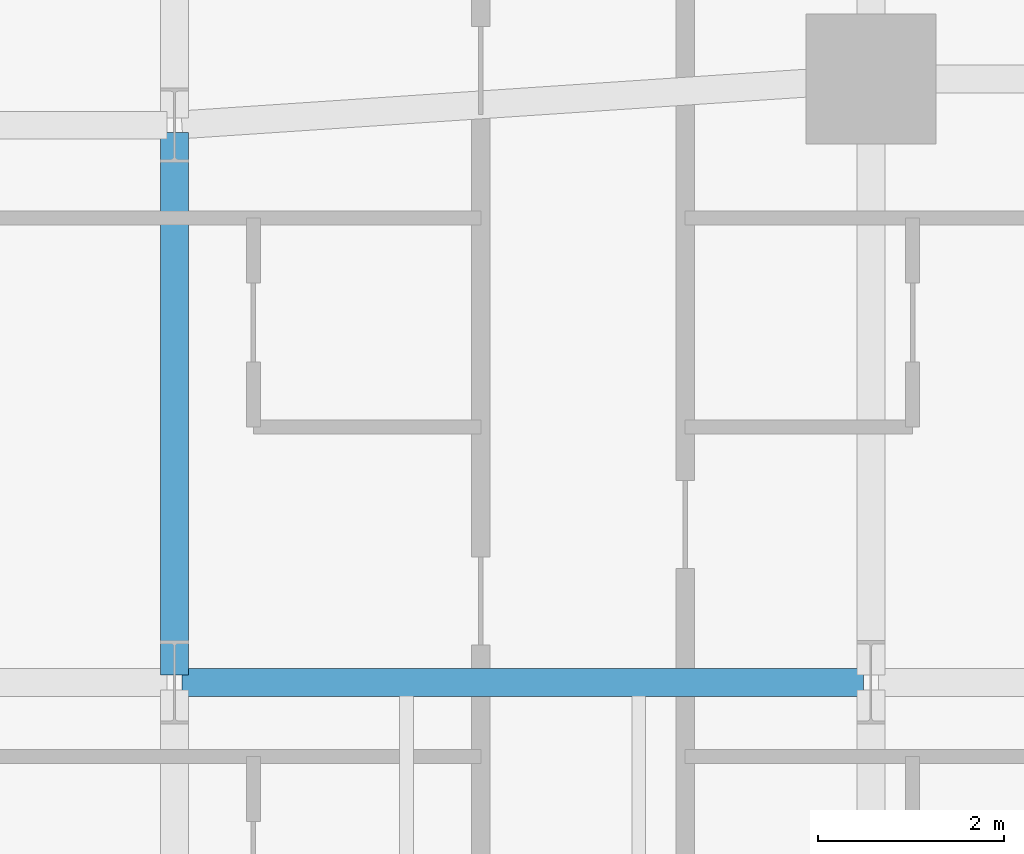
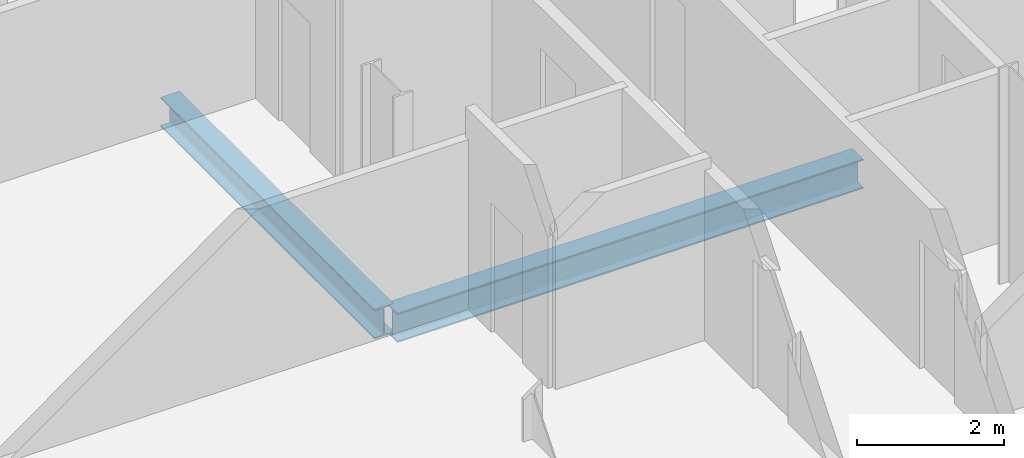
# One storey, part 10 of 32: 2 beams.
"""IFC4 building model written with IfcOpenShell, lengths in metres."""

from ifc_helpers import new_model, si_unit, direction, frame, origin, origin_2d, place, context, subcontext, project, spatial, i_section, extrude, material, material_profile, profile_set, type_object, element, save


model = new_model("IFC4")

# Units and contexts
model_context = context("Model", 3, precision=1e-05, world=origin(), true_north=direction((0.0, 1.0)))
body_context = subcontext(model_context, "Body", "Model", "MODEL_VIEW")
ifc_project = project(units=[si_unit("LENGTHUNIT", "METRE"), si_unit("AREAUNIT", "SQUARE_METRE"), si_unit("VOLUMEUNIT", "CUBIC_METRE"), si_unit("PLANEANGLEUNIT", "RADIAN"), si_unit("MASSUNIT", "GRAM", prefix="KILO")], contexts=[model_context])

# Site, building, storey
site_placement = place(None, origin())
site = spatial("IfcSite", under=ifc_project, at=site_placement, CompositionType="ELEMENT")
building_placement = place(site_placement, origin())
building = spatial("IfcBuilding", under=site, at=building_placement, Name="Catumbela Crestline Tower", CompositionType="ELEMENT")
storey_placement = place(building_placement, frame((0.0, 0.0, 69.0)))
storey = spatial("IfcBuildingStorey", under=building, at=storey_placement, Name="L17", CompositionType="ELEMENT", Elevation=69.0)

# Beams
ifc_material = material(Name="Structural steel S355J2", Category="steel")
ifc_material_profile = material_profile(ifc_material, i_section(OverallWidth=0.3, OverallDepth=0.49, WebThickness=0.012, FlangeThickness=0.023, FilletRadius=0.027, at=origin_2d()), Name="HEA 500")
ifc_profile_set = profile_set([ifc_material_profile], Name="Structural steel S355J2")
beam_type = type_object("IfcBeamType", Name="BG-HEA500", PredefinedType="BEAM", material=ifc_profile_set)
beam_1_placement = place(storey_placement, frame((8.58, 18.0, -0.505), z_axis=(1.0, 0.0, 0.0), x_axis=(0.0, 1.0, 0.0)))
element("IfcBeam", 1, at=beam_1_placement, inside=storey, type_object=beam_type, Name="L17 Beam BM-L17-WEW55", PredefinedType="BEAM", context=body_context, shape_type="SweptSolid", body=[
    extrude(i_section(OverallWidth=0.3, OverallDepth=0.49, WebThickness=0.012, FlangeThickness=0.023, FilletRadius=0.027, at=origin_2d()), origin(), (0.0, 0.0, 1.0), 7.34),
])
beam_2_placement = place(storey_placement, frame((8.5, 18.08, -0.505), z_axis=(0.0, 1.0, 0.0), x_axis=(-1.0, 0.0, 0.0)))
element("IfcBeam", 2, at=beam_2_placement, inside=storey, type_object=beam_type, Name="L17 Beam BM-L17-WNS63", PredefinedType="BEAM", context=body_context, shape_type="SweptSolid", body=[
    extrude(i_section(OverallWidth=0.3, OverallDepth=0.49, WebThickness=0.012, FlangeThickness=0.023, FilletRadius=0.027, at=origin_2d()), origin(), (0.0, 0.0, 1.0), 5.84),
])

save(model, "model.ifc")
